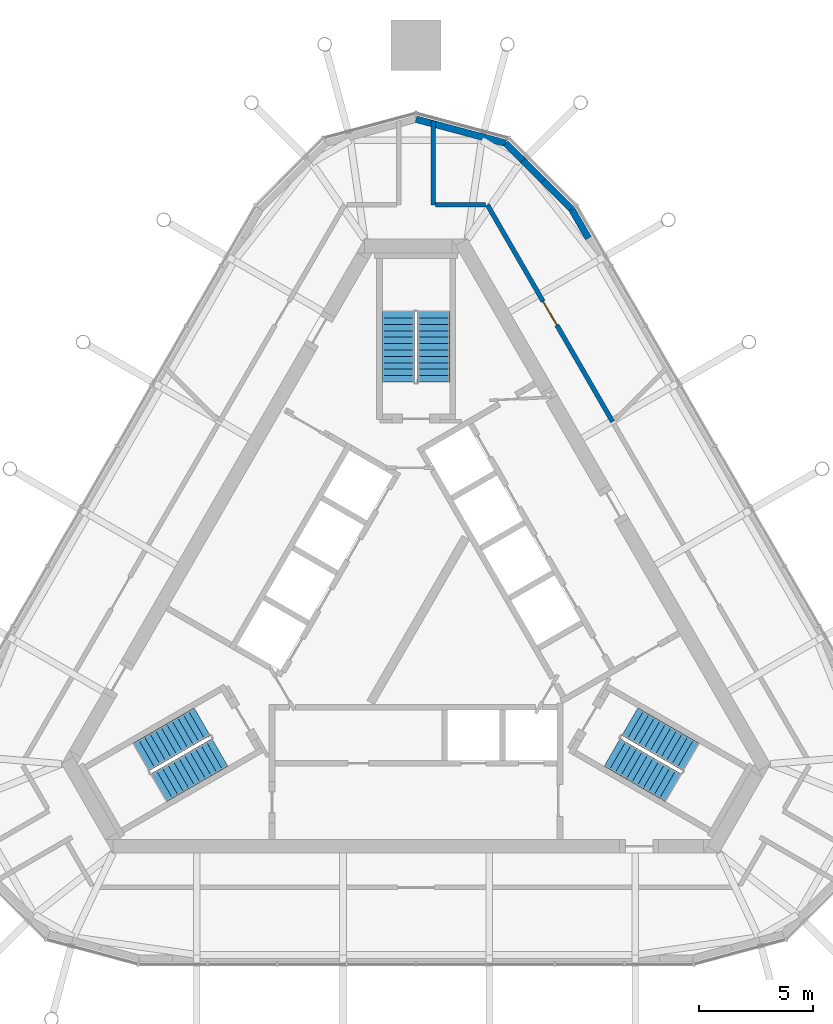
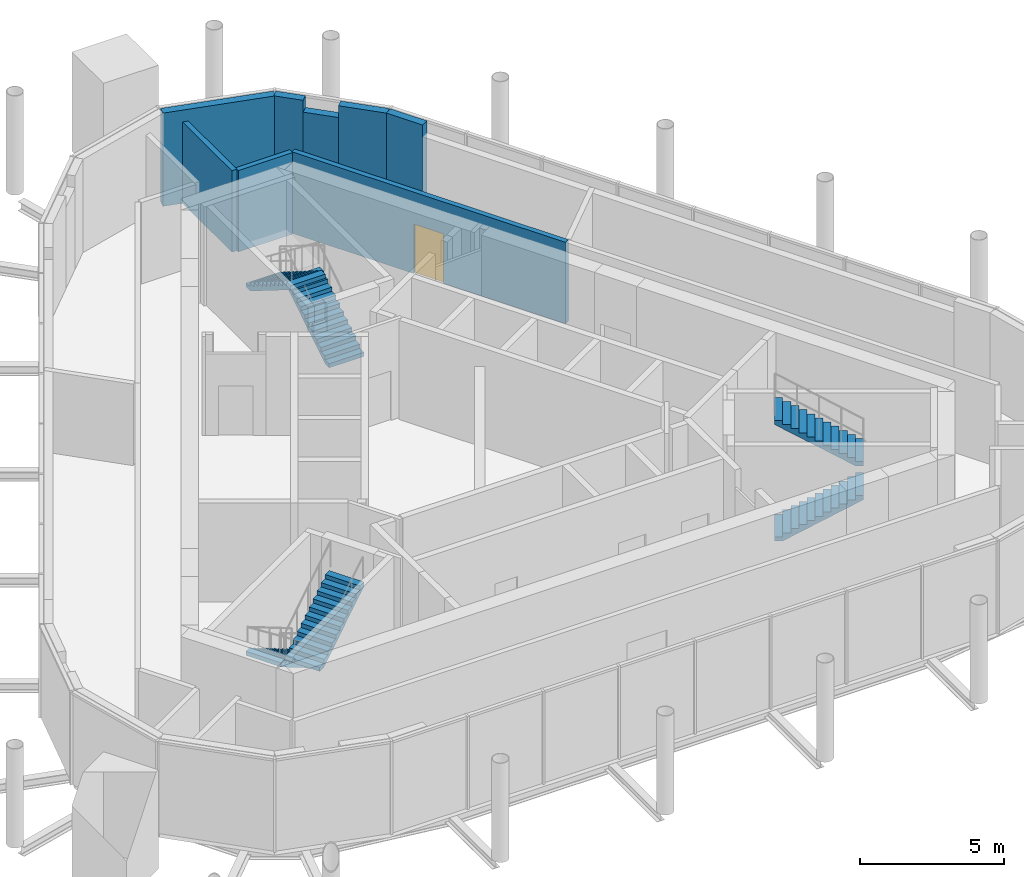
# One storey, part 10 of 11: 8 walls, 6 stair flights, 1 door, 1 opening, 3 elements without a shape of their own.
"""IFC4 building model written with IfcOpenShell, lengths in metres."""

import ifcopenshell
import ifcopenshell.guid

model = None  # the IFC model being written
_history = None  # IfcOwnerHistory: only IFC2X3 demands one
_inside = {}  # id of a spatial element -> (the spatial element, [elements in it])
_under = {}  # id of a project, library or spatial element -> (it, [spatial elements below it])
_declared = {}  # id of a project -> (the project, [libraries it declares])
_typed = {}  # id of a type object -> (the type object, [elements of that type])
_made_of = {}  # id of a material, layer set ... -> (it, [elements and type objects made of it])


def new_model(schema):
    """Start an empty IFC model of exactly this schema.

    Asked for "IFC4X3", IfcOpenShell would pick the latest addendum, in which some entities
    have other attributes; the version numbers below select the first issue.
    IFC2X3 requires an IfcOwnerHistory on every rooted entity: one is made here for all.
    """
    global model, _history
    if schema == "IFC4X3":
        model = ifcopenshell.file(schema_version=(4, 3, 0, 0))
    else:
        model = ifcopenshell.file(schema=schema)
    _inside.clear()
    _under.clear()
    _declared.clear()
    _typed.clear()
    _made_of.clear()
    _history = None
    if model.schema == "IFC2X3":
        org = make("IfcOrganization", Name="unknown")
        user = make(
            "IfcPersonAndOrganization",
            ThePerson=make("IfcPerson", FamilyName="unknown"),
            TheOrganization=org,
        )
        app = make(
            "IfcApplication",
            ApplicationDeveloper=org,
            Version="unknown",
            ApplicationFullName="unknown",
            ApplicationIdentifier="unknown",
        )
        _history = make(
            "IfcOwnerHistory",
            OwningUser=user,
            OwningApplication=app,
            ChangeAction="ADDED",
            CreationDate=0,
        )
    return model


def make(cls, **values):
    """One entity of the class cls with the attributes given. An attribute that is None is left unset."""
    return model.create_entity(
        cls, **{name: value for name, value in values.items() if value is not None}
    )


def rooted(cls, **values):
    """An entity with a GlobalId (a new one), such as an element, a storey or a relation."""
    return make(cls, GlobalId=ifcopenshell.guid.new(), OwnerHistory=_history, **values)


def si_unit(unit_type, name, prefix=None):
    """IfcSIUnit, for example si_unit("LENGTHUNIT", "METRE", prefix="MILLI")."""
    return make("IfcSIUnit", UnitType=unit_type, Prefix=prefix, Name=name)


def assignment(units):
    """IfcUnitAssignment: the units of a project."""
    return None if units is None else make("IfcUnitAssignment", Units=units)


def point(xyz):
    """IfcCartesianPoint."""
    return None if xyz is None else make("IfcCartesianPoint", Coordinates=xyz)


def direction(xyz):
    """IfcDirection."""
    return None if xyz is None else make("IfcDirection", DirectionRatios=xyz)


def frame(location, z_axis=None, x_axis=None):
    """IfcAxis2Placement3D, a coordinate frame: its origin and axes. An axis left out is left unset."""
    return make(
        "IfcAxis2Placement3D",
        Location=point(location),
        Axis=direction(z_axis),
        RefDirection=direction(x_axis),
    )


def frame_2d(location, x_axis=None):
    """IfcAxis2Placement2D, a coordinate frame in the plane: its origin and x axis."""
    return make(
        "IfcAxis2Placement2D", Location=point(location), RefDirection=direction(x_axis)
    )


def origin():
    """The frame at (0, 0, 0) with its axes left unset."""
    return frame((0.0, 0.0, 0.0))


def place(relative_to, where):
    """IfcLocalPlacement: puts the frame where relative to a parent placement (None: the world)."""
    return make(
        "IfcLocalPlacement", PlacementRelTo=relative_to, RelativePlacement=where
    )


def context(
    kind, dimensions, precision=None, world=None, true_north=None, identifier=None
):
    """IfcGeometricRepresentationContext, for example the 3D "Model" context."""
    return make(
        "IfcGeometricRepresentationContext",
        ContextIdentifier=identifier,
        ContextType=kind,
        CoordinateSpaceDimension=dimensions,
        Precision=precision,
        WorldCoordinateSystem=world,
        TrueNorth=true_north,
    )


def subcontext(parent, identifier, kind, view, scale=None):
    """IfcGeometricRepresentationSubContext, for example "Body" below "Model"."""
    return make(
        "IfcGeometricRepresentationSubContext",
        ContextIdentifier=identifier,
        ContextType=kind,
        ParentContext=parent,
        TargetScale=scale,
        TargetView=view,
    )


def project(units=None, contexts=None):
    """IfcProject with its units and contexts."""
    return rooted(
        "IfcProject",
        Name="project",
        RepresentationContexts=contexts,
        UnitsInContext=assignment(units),
    )


def spatial(cls, under=None, at=None, **own):
    """A site, building, storey or space (cls), placed at a placement, below another one or the project."""
    s = rooted(cls, ObjectPlacement=at, **own)
    if under is not None:
        _under.setdefault(under.id(), (under, []))[1].append(s)
    return s


def polyline(points):
    """IfcPolyline through the points."""
    return make("IfcPolyline", Points=[point(p) for p in points])


def profile(cls, at=None, kind="AREA", **sizes):
    """A parametric profile (cls). Its sizes go by their IFC names, for example OverallWidth=200.0."""
    return make(cls, ProfileType=kind, Position=at, **sizes)


def rectangle(**sizes):
    """IfcRectangleProfileDef."""
    return profile("IfcRectangleProfileDef", **sizes)


def outline(outer, holes=None, kind="AREA"):
    """IfcArbitraryClosedProfileDef: a profile drawn as a closed curve; with holes, ...WithVoids."""
    if holes is None:
        return make("IfcArbitraryClosedProfileDef", ProfileType=kind, OuterCurve=outer)
    return make(
        "IfcArbitraryProfileDefWithVoids",
        ProfileType=kind,
        OuterCurve=outer,
        InnerCurves=holes,
    )


def extrude(swept, where, along, depth):
    """IfcExtrudedAreaSolid: the profile swept, set in the frame where, extruded along a direction by depth."""
    return make(
        "IfcExtrudedAreaSolid",
        SweptArea=swept,
        Position=where,
        ExtrudedDirection=direction(along),
        Depth=depth,
    )


def shape(context_of_items, identifier, shape_type, items):
    """IfcShapeRepresentation: the items that make up one representation, for example the "Body"."""
    return make(
        "IfcShapeRepresentation",
        ContextOfItems=context_of_items,
        RepresentationIdentifier=identifier,
        RepresentationType=shape_type,
        Items=items,
    )


def material(Name=None, Category=None):
    """IfcMaterial."""
    return make("IfcMaterial", Name=Name, Category=Category)


def layer(
    of_material, thickness, ventilated=None, Name=None, Category=None, Priority=None
):
    """IfcMaterialLayer: one layer of a wall or slab, of a material (None: an air gap)."""
    return make(
        "IfcMaterialLayer",
        Material=of_material,
        LayerThickness=thickness,
        IsVentilated=ventilated,
        Name=Name,
        Category=Category,
        Priority=Priority,
    )


def layer_set(layers, Name=None):
    """IfcMaterialLayerSet."""
    return make("IfcMaterialLayerSet", MaterialLayers=layers, LayerSetName=Name)


def made_of(thing, what):
    """Note that an element or type object is made of a material, layer set ...; save() writes the relation."""
    if what is not None:
        _made_of.setdefault(what.id(), (what, []))[1].append(thing)
    return thing


def type_object(cls, material=None, **own):
    """A type object (cls), such as IfcWallType, which elements share."""
    return made_of(rooted(cls, **own), material)


def element(
    cls,
    number,
    at=None,
    inside=None,
    cuts=None,
    type_object=None,
    material=None,
    context=None,
    identifier="Body",
    shape_type=None,
    held_by="IfcProductDefinitionShape",
    body=None,
    shapes=None,
    **own,
):
    """One element of the class cls, such as IfcWall. Its Tag is "e" and its number.

    at: its placement. inside: the storey or other place that contains it. cuts: it is an
    opening in that element (IfcRelVoidsElement). A single representation is given by context,
    identifier, shape_type and body (its items); several are given by shapes. held_by: the class
    of the entity that holds the representations. save() writes the other relations.
    """
    e = rooted(cls, Tag="e%d" % number, ObjectPlacement=at, **own)
    if body is not None:
        shapes = [shape(context, identifier, shape_type, body)]
    if shapes is not None:
        e.Representation = make(held_by, Representations=shapes)
    if inside is not None:
        _inside.setdefault(inside.id(), (inside, []))[1].append(e)
    if cuts is not None:
        rooted(
            "IfcRelVoidsElement", RelatingBuildingElement=cuts, RelatedOpeningElement=e
        )
    if type_object is not None:
        _typed.setdefault(type_object.id(), (type_object, []))[1].append(e)
    return made_of(e, material)


def fill(opening, filler):
    """IfcRelFillsElement: the door or window that sits in an opening."""
    return rooted(
        "IfcRelFillsElement",
        RelatingOpeningElement=opening,
        RelatedBuildingElement=filler,
    )


def aggregate(whole, parts):
    """IfcRelAggregates: a whole, such as a stair, and the parts it consists of."""
    return rooted("IfcRelAggregates", RelatingObject=whole, RelatedObjects=parts)


def save(model, path):
    """Write the relations noted so far, then the file.

    IfcRelAggregates (storeys below a building ...), IfcRelContainedInSpatialStructure (elements
    in a storey), IfcRelDefinesByType, IfcRelAssociatesMaterial and IfcRelDeclares: one each for
    every whole, place, type object, material and project.
    """
    for whole, parts in _under.values():
        aggregate(whole, parts)
    for where, things in _inside.values():
        rooted(
            "IfcRelContainedInSpatialStructure",
            RelatedElements=things,
            RelatingStructure=where,
        )
    for kind, things in _typed.values():
        rooted("IfcRelDefinesByType", RelatedObjects=things, RelatingType=kind)
    for what, things in _made_of.values():
        rooted("IfcRelAssociatesMaterial", RelatedObjects=things, RelatingMaterial=what)
    for by, libraries in _declared.values():
        rooted("IfcRelDeclares", RelatingContext=by, RelatedDefinitions=libraries)
    model.write(path)


model = new_model("IFC4")

# Units and contexts
model_context = context("Model", 3, precision=1e-05, world=origin(), true_north=direction((0.0, 1.0)))
body_context = subcontext(model_context, "Body", "Model", "MODEL_VIEW")
ifc_project = project(units=[si_unit("LENGTHUNIT", "METRE"), si_unit("AREAUNIT", "SQUARE_METRE"), si_unit("VOLUMEUNIT", "CUBIC_METRE"), si_unit("PLANEANGLEUNIT", "RADIAN"), si_unit("MASSUNIT", "GRAM", prefix="KILO")], contexts=[model_context])

# Site, building, storey
site_placement = place(None, origin())
site = spatial("IfcSite", under=ifc_project, at=site_placement, CompositionType="ELEMENT")
building_placement = place(site_placement, origin())
building = spatial("IfcBuilding", under=site, at=building_placement, Name="Mestral Congress Tower", CompositionType="ELEMENT")
storey_placement = place(building_placement, frame((0.0, 0.0, 340.199951171875)))
storey = spatial("IfcBuildingStorey", under=building, at=storey_placement, Name="L79", CompositionType="ELEMENT", Elevation=340.199951171875)

# Walls
ifc_material_1 = material(Name="Precast concrete C40/50 with limestone facing", Category="masonry")
ifc_layer_1 = layer(ifc_material_1, 0.300048828125)
ifc_layer_set_1 = layer_set([ifc_layer_1], Name="Precast concrete C40/50 with limestone facing")
wall_type_1 = type_object("IfcWallType", Name="Crown plant block wall 300", PredefinedType="SOLIDWALL", material=ifc_layer_set_1)
wall_1_placement = place(storey_placement, frame((7.5400390625, 16.64013671875, 0.0), z_axis=(0.0, 0.0, 1.0), x_axis=(-0.499977492351, 0.866038398192, 0.0)))
element("IfcWall", 1, at=wall_1_placement, inside=storey, type_object=wall_type_1, Name="Plant block wall 5", PredefinedType="SOLIDWALL", context=body_context, shape_type="SweptSolid", body=[
    extrude(rectangle(XDim=1.4638671875, YDim=0.300048828125, at=frame_2d((0.73193359375, 0.0))), origin(), (0.0, 0.0, 1.0), 3.949951171875),
])
wall_2_placement = place(storey_placement, frame((6.80810546875, 17.907958984375, 0.0), z_axis=(0.0, 0.0, 1.0), x_axis=(-0.707106781187, 0.707106781187, 0.0)))
element("IfcWall", 2, at=wall_2_placement, inside=storey, type_object=wall_type_1, Name="Plant block wall 6", PredefinedType="SOLIDWALL", context=body_context, shape_type="SweptSolid", body=[
    extrude(rectangle(XDim=1.751953125, YDim=0.300048828125, at=frame_2d((0.8759765625, 0.0))), origin(), (0.0, 0.0, 1.0), 3.949951171875),
])
wall_3_placement = place(storey_placement, frame((4.67529296875, 20.040771484375, 0.0), z_axis=(0.0, 0.0, 1.0), x_axis=(-0.707106781187, 0.707106781187, 0.0)))
element("IfcWall", 3, at=wall_3_placement, inside=storey, type_object=wall_type_1, Name="Plant block wall 6", PredefinedType="SOLIDWALL", context=body_context, shape_type="SweptSolid", body=[
    extrude(rectangle(XDim=1.064697265625, YDim=0.300048828125, at=frame_2d((0.5322265625, 0.0))), origin(), (0.0, 0.0, 1.0), 3.949951171875),
])
wall_4_placement = place(storey_placement, frame((3.92236328125, 20.793701171875, 0.0), z_axis=(0.0, 0.0, 1.0), x_axis=(-0.965923898226, 0.258826240624, 0.0)))
element("IfcWall", 4, at=wall_4_placement, inside=storey, type_object=wall_type_1, Name="Plant block wall 7", PredefinedType="SOLIDWALL", context=body_context, shape_type="SweptSolid", body=[
    extrude(rectangle(XDim=4.060791015625, YDim=0.300048828125, at=frame_2d((2.0302734375, 0.0))), origin(), (0.0, 0.0, 1.0), 3.949951171875),
])
ifc_layer_2 = layer(ifc_material_1, 0.300048828125)
ifc_layer_set_2 = layer_set([ifc_layer_2], Name="Precast concrete C40/50 with limestone facing")
wall_type_2 = type_object("IfcWallType", Name="Crown plant block wall 300 under girder", PredefinedType="SOLIDWALL", material=ifc_layer_set_2)
wall_5_placement = place(storey_placement, frame((5.5693359375, 19.146728515625, 0.0), z_axis=(0.0, 0.0, 1.0), x_axis=(-0.707106781187, 0.707106781187, 0.0)))
element("IfcWall", 5, at=wall_5_placement, inside=storey, type_object=wall_type_2, Name="Plant block wall 6", PredefinedType="SOLIDWALL", context=body_context, shape_type="SweptSolid", body=[
    extrude(rectangle(XDim=1.264404296875, YDim=0.300048828125, at=frame_2d((0.63232421875, 0.0))), origin(), (0.0, 0.0, 1.0), 3.449951171875),
])

# Wall, opening, door
ifc_material_2 = material(Name="Concrete block wall, plastered", Category="concrete")
ifc_layer_3 = layer(ifc_material_2, 0.199951171875)
ifc_layer_set_3 = layer_set([ifc_layer_3], Name="Concrete block wall, plastered")
wall_type_3 = type_object("IfcWallType", Name="Special partition 200 EI 120", PredefinedType="PARTITIONING", material=ifc_layer_set_3)
wall_6_placement = place(storey_placement, frame((8.5966796875, 8.610107421875, 0.0), z_axis=(0.0, 0.0, 1.0), x_axis=(-0.499996953601, 0.866027162616, 0.0)))
wall_6 = element("IfcWall", 6, at=wall_6_placement, inside=storey, type_object=wall_type_3, Name="Partition", PredefinedType="PARTITIONING", context=body_context, shape_type="SweptSolid", body=[
    extrude(rectangle(XDim=10.9580078125, YDim=0.199951171875, at=frame_2d((5.47900390625, 0.0))), origin(), (0.0, 0.0, 1.0), 3.449951171875),
])
opening_placement = place(wall_6_placement, frame((4.87890625, 0.0, 0.0)))
opening = element("IfcOpeningElement", 7, at=opening_placement, cuts=wall_6, Name="Opening K79-003", PredefinedType="OPENING", context=body_context, shape_type="SweptSolid", body=[
    extrude(rectangle(XDim=1.199951171875, YDim=2.10009765625, at=frame_2d((0.60009765625, 1.050048828125))), frame((0.0, 0.10986328125, 0.0), z_axis=(0.0, -1.0, 0.0), x_axis=(1.0, 0.0, 0.0)), (0.0, 0.0, 1.0), 0.219970703125),
])
ifc_material_3 = material(Name="Fire-rated steel door set", Category="steel")
door_type = type_object("IfcDoorType", Name="Plant room door 1200x2100", OperationType="SINGLE_SWING_LEFT", PredefinedType="DOOR", material=ifc_material_3)
door_placement = place(opening_placement, origin())
door = element("IfcDoor", 8, at=door_placement, inside=storey, type_object=door_type, Name="Door K79-003", OperationType="SINGLE_SWING_RIGHT", OverallHeight=2.10009765625, OverallWidth=1.199951171875, PredefinedType="DOOR", context=body_context, shape_type="SweptSolid", body=[
    extrude(rectangle(XDim=1.199951171875, YDim=2.10009765625, at=frame_2d((0.60009765625, 1.050048828125))), frame((0.0, 0.02490234375, 0.0), z_axis=(0.0, -1.0, 0.0), x_axis=(1.0, 0.0, 0.0)), (0.0, 0.0, 1.0), 0.050048828125),
])
fill(opening, door)

# Walls
wall_7_placement = place(storey_placement, frame((0.75, 21.78857421875, 0.0), z_axis=(0.0, 0.0, 1.0), x_axis=(0.0, -1.0, 0.0)))
element("IfcWall", 9, at=wall_7_placement, inside=storey, type_object=wall_type_3, Name="Partition", PredefinedType="PARTITIONING", context=body_context, shape_type="SweptSolid", body=[
    extrude(rectangle(XDim=3.6884765625, YDim=0.199951171875, at=frame_2d((1.84423828125, 0.0))), origin(), (0.0, 0.0, 1.0), 3.449951171875),
])
wall_8_placement = place(storey_placement, frame((0.85009765625, 18.10009765625, 0.0), z_axis=(0.0, 0.0, 1.0), x_axis=(1.0, 0.0, 0.0)))
element("IfcWall", 10, at=wall_8_placement, inside=storey, type_object=wall_type_3, Name="Partition", PredefinedType="PARTITIONING", context=body_context, shape_type="SweptSolid", body=[
    extrude(rectangle(XDim=2.177490234375, YDim=0.199951171875, at=frame_2d((1.0888671875, 0.0))), origin(), (0.0, 0.0, 1.0), 3.449951171875),
])

# Stair, stair flights
ifc_material_4 = material(Name="Concrete C60/75", Category="concrete")
stair_type = type_object("IfcStairType", Name="Exit stair 1400", PredefinedType="HALF_TURN_STAIR", material=ifc_material_4)
placement = place(storey_placement, origin())
stair_1 = element("IfcStair", 11, at=placement, inside=storey, type_object=stair_type, Name="L79 ST1", PredefinedType="HALF_TURN_STAIR")
stair_flight_type = type_object("IfcStairFlightType", Name="Exit stair flight 1400", PredefinedType="STRAIGHT", material=ifc_material_4)
stair_flight_1_placement = place(storey_placement, frame((8.575927734375, -5.84619140625, 0.0), z_axis=(0.0, 0.0, 1.0), x_axis=(0.866025403784, -0.5, 0.0)))
stair_flight_1 = element("IfcStairFlight", 12, at=stair_flight_1_placement, type_object=stair_flight_type, Name="ST1 flight 1", NumberOfRisers=12, NumberOfTreads=11, PredefinedType="STRAIGHT", RiserHeight=0.175, TreadLength=0.28, context=body_context, shape_type="SweptSolid", body=[
    extrude(outline(polyline([(0.0, 0.0), (0.0, 0.175048828125), (0.280029296875, 0.175048828125), (0.280029296875, 0.35009765625), (0.56005859375, 0.35009765625), (0.56005859375, 0.52490234375), (0.840087890625, 0.52490234375), (0.840087890625, 0.699951171875), (1.1201171875, 0.699951171875), (1.1201171875, 0.875), (1.39990234375, 0.875), (1.39990234375, 1.050048828125), (1.679931640625, 1.050048828125), (1.679931640625, 1.22509765625), (1.9599609375, 1.22509765625), (1.9599609375, 1.39990234375), (2.239990234375, 1.39990234375), (2.239990234375, 1.574951171875), (2.52001953125, 1.574951171875), (2.52001953125, 1.75), (2.800048828125, 1.75), (2.800048828125, 1.925048828125), (3.080078125, 1.925048828125), (3.080078125, 2.10009765625), (3.080078125, 1.748291015625), (0.28271484375, 0.0), (0.0, 0.0)])), frame((0.0, 0.699951171875, 0.0), z_axis=(0.0, -1.0, 0.0), x_axis=(1.0, 0.0, 0.0)), (0.0, 0.0, 1.0), 1.39990234375),
])
stair_flight_2_placement = place(storey_placement, frame((12.018310546875, -6.0439453125, 2.10009765625), z_axis=(0.0, 0.0, 1.0), x_axis=(-0.866025403784, 0.5, 0.0)))
stair_flight_2 = element("IfcStairFlight", 13, at=stair_flight_2_placement, type_object=stair_flight_type, Name="ST1 flight 2", NumberOfRisers=12, NumberOfTreads=11, PredefinedType="STRAIGHT", RiserHeight=0.175, TreadLength=0.28, context=body_context, shape_type="SweptSolid", body=[
    extrude(outline(polyline([(0.0, 0.0), (0.0, 0.175048828125), (0.280029296875, 0.175048828125), (0.280029296875, 0.35009765625), (0.56005859375, 0.35009765625), (0.56005859375, 0.52490234375), (0.840087890625, 0.52490234375), (0.840087890625, 0.699951171875), (1.1201171875, 0.699951171875), (1.1201171875, 0.875), (1.39990234375, 0.875), (1.39990234375, 1.050048828125), (1.679931640625, 1.050048828125), (1.679931640625, 1.22509765625), (1.9599609375, 1.22509765625), (1.9599609375, 1.39990234375), (2.239990234375, 1.39990234375), (2.239990234375, 1.574951171875), (2.52001953125, 1.574951171875), (2.52001953125, 1.75), (2.800048828125, 1.75), (2.800048828125, 1.925048828125), (3.080078125, 1.925048828125), (3.080078125, 2.10009765625), (3.080078125, 1.748291015625), (0.28271484375, 0.0), (0.0, 0.0)])), frame((0.0, 0.699951171875, 0.0), z_axis=(0.0, -1.0, 0.0), x_axis=(1.0, 0.0, 0.0)), (0.0, 0.0, 1.0), 1.39990234375),
])
aggregate(stair_1, [stair_flight_1, stair_flight_2])

stair_2 = element("IfcStair", 14, at=placement, inside=storey, type_object=stair_type, Name="L79 ST2", PredefinedType="HALF_TURN_STAIR")
stair_flight_3_placement = place(storey_placement, frame((0.77490234375, 10.35009765625, 0.0), z_axis=(0.0, 0.0, 1.0), x_axis=(0.0, 1.0, 0.0)))
stair_flight_3 = element("IfcStairFlight", 15, at=stair_flight_3_placement, type_object=stair_flight_type, Name="ST2 flight 1", NumberOfRisers=12, NumberOfTreads=11, PredefinedType="STRAIGHT", RiserHeight=0.175, TreadLength=0.28, context=body_context, shape_type="SweptSolid", body=[
    extrude(outline(polyline([(0.0, 0.0), (0.0, 0.175048828125), (0.280029296875, 0.175048828125), (0.280029296875, 0.35009765625), (0.56005859375, 0.35009765625), (0.56005859375, 0.52490234375), (0.840087890625, 0.52490234375), (0.840087890625, 0.699951171875), (1.1201171875, 0.699951171875), (1.1201171875, 0.875), (1.39990234375, 0.875), (1.39990234375, 1.050048828125), (1.679931640625, 1.050048828125), (1.679931640625, 1.22509765625), (1.9599609375, 1.22509765625), (1.9599609375, 1.39990234375), (2.239990234375, 1.39990234375), (2.239990234375, 1.574951171875), (2.52001953125, 1.574951171875), (2.52001953125, 1.75), (2.800048828125, 1.75), (2.800048828125, 1.925048828125), (3.080078125, 1.925048828125), (3.080078125, 2.10009765625), (3.080078125, 1.748291015625), (0.28271484375, 0.0), (0.0, 0.0)])), frame((0.0, 0.699951171875, 0.0), z_axis=(0.0, -1.0, 0.0), x_axis=(1.0, 0.0, 0.0)), (0.0, 0.0, 1.0), 1.39990234375),
])
stair_flight_4_placement = place(storey_placement, frame((-0.77490234375, 13.429931640625, 2.10009765625), z_axis=(0.0, 0.0, 1.0), x_axis=(0.0, -1.0, 0.0)))
stair_flight_4 = element("IfcStairFlight", 16, at=stair_flight_4_placement, type_object=stair_flight_type, Name="ST2 flight 2", NumberOfRisers=12, NumberOfTreads=11, PredefinedType="STRAIGHT", RiserHeight=0.175, TreadLength=0.28, context=body_context, shape_type="SweptSolid", body=[
    extrude(outline(polyline([(0.0, 0.0), (0.0, 0.175048828125), (0.280029296875, 0.175048828125), (0.280029296875, 0.35009765625), (0.56005859375, 0.35009765625), (0.56005859375, 0.52490234375), (0.840087890625, 0.52490234375), (0.840087890625, 0.699951171875), (1.1201171875, 0.699951171875), (1.1201171875, 0.875), (1.39990234375, 0.875), (1.39990234375, 1.050048828125), (1.679931640625, 1.050048828125), (1.679931640625, 1.22509765625), (1.9599609375, 1.22509765625), (1.9599609375, 1.39990234375), (2.239990234375, 1.39990234375), (2.239990234375, 1.574951171875), (2.52001953125, 1.574951171875), (2.52001953125, 1.75), (2.800048828125, 1.75), (2.800048828125, 1.925048828125), (3.080078125, 1.925048828125), (3.080078125, 2.10009765625), (3.080078125, 1.748291015625), (0.28271484375, 0.0), (0.0, 0.0)])), frame((0.0, 0.699951171875, 0.0), z_axis=(0.0, -1.0, 0.0), x_axis=(1.0, 0.0, 0.0)), (0.0, 0.0, 1.0), 1.39990234375),
])
aggregate(stair_2, [stair_flight_3, stair_flight_4])

stair_3 = element("IfcStair", 17, at=placement, inside=storey, type_object=stair_type, Name="L79 ST3", PredefinedType="HALF_TURN_STAIR")
stair_flight_5_placement = place(storey_placement, frame((-9.350830078125, -4.50390625, 0.0), z_axis=(0.0, 0.0, 1.0), x_axis=(-0.866025403784, -0.5, 0.0)))
stair_flight_5 = element("IfcStairFlight", 18, at=stair_flight_5_placement, type_object=stair_flight_type, Name="ST3 flight 1", NumberOfRisers=12, NumberOfTreads=11, PredefinedType="STRAIGHT", RiserHeight=0.175, TreadLength=0.28, context=body_context, shape_type="SweptSolid", body=[
    extrude(outline(polyline([(0.0, 0.0), (0.0, 0.175048828125), (0.280029296875, 0.175048828125), (0.280029296875, 0.35009765625), (0.56005859375, 0.35009765625), (0.56005859375, 0.52490234375), (0.840087890625, 0.52490234375), (0.840087890625, 0.699951171875), (1.1201171875, 0.699951171875), (1.1201171875, 0.875), (1.39990234375, 0.875), (1.39990234375, 1.050048828125), (1.679931640625, 1.050048828125), (1.679931640625, 1.22509765625), (1.9599609375, 1.22509765625), (1.9599609375, 1.39990234375), (2.239990234375, 1.39990234375), (2.239990234375, 1.574951171875), (2.52001953125, 1.574951171875), (2.52001953125, 1.75), (2.800048828125, 1.75), (2.800048828125, 1.925048828125), (3.080078125, 1.925048828125), (3.080078125, 2.10009765625), (3.080078125, 1.748291015625), (0.28271484375, 0.0), (0.0, 0.0)])), frame((0.0, 0.699951171875, 0.0), z_axis=(0.0, -1.0, 0.0), x_axis=(1.0, 0.0, 0.0)), (0.0, 0.0, 1.0), 1.39990234375),
])
stair_flight_6_placement = place(storey_placement, frame((-11.2431640625, -7.38623046875, 2.10009765625), z_axis=(0.0, 0.0, 1.0), x_axis=(0.866025403784, 0.5, 0.0)))
stair_flight_6 = element("IfcStairFlight", 19, at=stair_flight_6_placement, type_object=stair_flight_type, Name="ST3 flight 2", NumberOfRisers=12, NumberOfTreads=11, PredefinedType="STRAIGHT", RiserHeight=0.175, TreadLength=0.28, context=body_context, shape_type="SweptSolid", body=[
    extrude(outline(polyline([(0.0, 0.0), (0.0, 0.175048828125), (0.280029296875, 0.175048828125), (0.280029296875, 0.35009765625), (0.56005859375, 0.35009765625), (0.56005859375, 0.52490234375), (0.840087890625, 0.52490234375), (0.840087890625, 0.699951171875), (1.1201171875, 0.699951171875), (1.1201171875, 0.875), (1.39990234375, 0.875), (1.39990234375, 1.050048828125), (1.679931640625, 1.050048828125), (1.679931640625, 1.22509765625), (1.9599609375, 1.22509765625), (1.9599609375, 1.39990234375), (2.239990234375, 1.39990234375), (2.239990234375, 1.574951171875), (2.52001953125, 1.574951171875), (2.52001953125, 1.75), (2.800048828125, 1.75), (2.800048828125, 1.925048828125), (3.080078125, 1.925048828125), (3.080078125, 2.10009765625), (3.080078125, 1.748291015625), (0.28271484375, 0.0), (0.0, 0.0)])), frame((0.0, 0.699951171875, 0.0), z_axis=(0.0, -1.0, 0.0), x_axis=(1.0, 0.0, 0.0)), (0.0, 0.0, 1.0), 1.39990234375),
])
aggregate(stair_3, [stair_flight_5, stair_flight_6])

save(model, "model.ifc")
